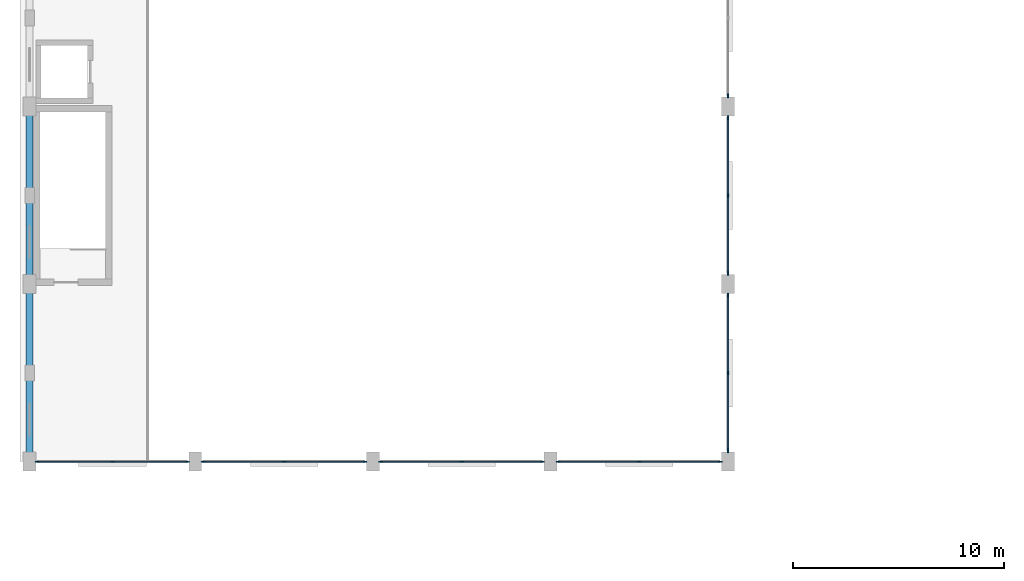
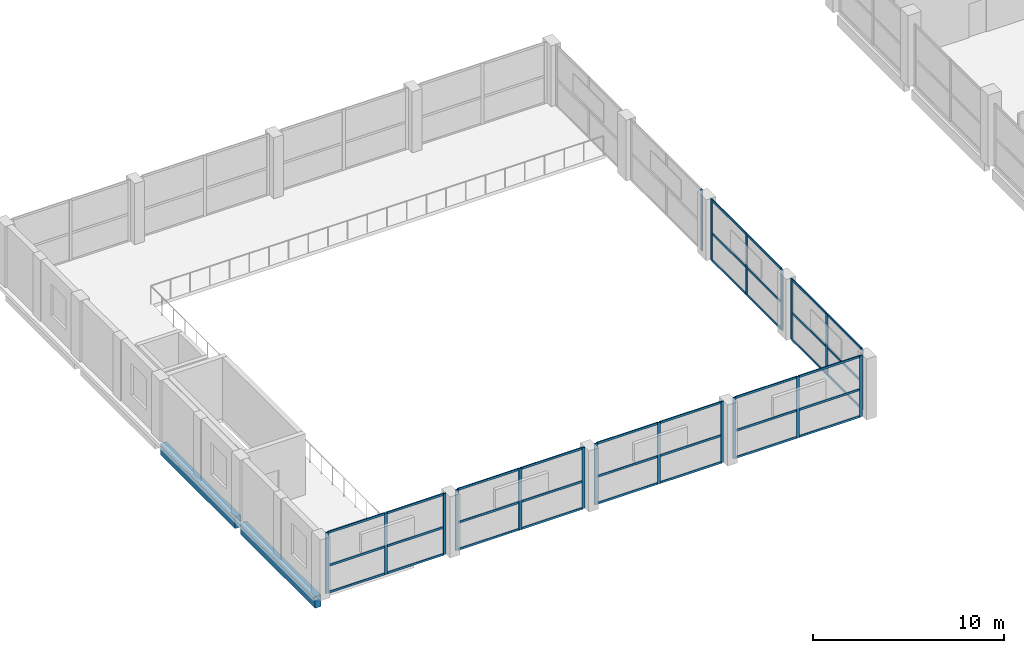
# One storey, part 4 of 31: 55 members, 2 beams, 7 elements without a shape of their own.
"""IFC4 building model written with IfcOpenShell, lengths in metres."""

from ifc_helpers import new_model, si_unit, direction, frame, origin, origin_2d, place, context, subcontext, project, spatial, rectangle, extrude, material, material_profile, profile_set, type_object, element, aggregate, save


model = new_model("IFC4")

# Units and contexts
model_context = context("Model", 3, precision=1e-05, world=origin(), true_north=direction((0.0, 1.0)))
body_context = subcontext(model_context, "Body", "Model", "MODEL_VIEW")
ifc_project = project(units=[si_unit("LENGTHUNIT", "METRE"), si_unit("AREAUNIT", "SQUARE_METRE"), si_unit("VOLUMEUNIT", "CUBIC_METRE"), si_unit("PLANEANGLEUNIT", "RADIAN"), si_unit("MASSUNIT", "GRAM", prefix="KILO")], contexts=[model_context])

# Site, building, storey
site_placement = place(None, origin())
site = spatial("IfcSite", under=ifc_project, at=site_placement, CompositionType="ELEMENT")
building_placement = place(site_placement, origin())
building = spatial("IfcBuilding", under=site, at=building_placement, Name="Brinegate Botanical Conservatory", CompositionType="ELEMENT")
storey_placement = place(building_placement, frame((0.0, 0.0, 5.39990234375)))
storey = spatial("IfcBuildingStorey", under=building, at=storey_placement, Name="L02", CompositionType="ELEMENT", Elevation=5.39990234375)

# Beams
ifc_material_1 = material(Name="Concrete C40/50", Category="concrete")
ifc_material_profile_1 = material_profile(ifc_material_1, rectangle(XDim=0.35009765625, YDim=0.75, at=origin_2d()), Name="RC SPN 350x750")
ifc_profile_set_1 = profile_set([ifc_material_profile_1], Name="Concrete C40/50")
beam_type = type_object("IfcBeamType", Name="Beam_SP-01", PredefinedType="SPANDREL", material=ifc_profile_set_1)
beam_1_placement = place(storey_placement, frame((0.550048828125, 78.699951171875, -0.594970703125), z_axis=(0.0, 1.0, 0.0), x_axis=(-1.0, 0.0, 0.0)))
element("IfcBeam", 1, at=beam_1_placement, inside=storey, type_object=beam_type, Name="Beam SP-01 L02 1:K-L", PredefinedType="SPANDREL", context=body_context, shape_type="SweptSolid", body=[
    extrude(rectangle(XDim=0.35009765625, YDim=0.75, at=origin_2d()), origin(), (0.0, 0.0, 1.0), 7.800048828125),
])
beam_2_placement = place(storey_placement, frame((0.550048828125, 87.10009765625, -0.594970703125), z_axis=(0.0, 1.0, 0.0), x_axis=(-1.0, 0.0, 0.0)))
element("IfcBeam", 2, at=beam_2_placement, inside=storey, type_object=beam_type, Name="Beam SP-01 L02 1:L-M", PredefinedType="SPANDREL", context=body_context, shape_type="SweptSolid", body=[
    extrude(rectangle(XDim=0.35009765625, YDim=0.75, at=origin_2d()), origin(), (0.0, 0.0, 1.0), 7.7998046875),
])

# Curtain wall, members
ifc_material_2 = material(Name="Thermally broken anodised aluminium AW-6063-T6", Category="aluminium")
curtain_wall_type = type_object("IfcCurtainWallType", Name="CW_CW-V1", PredefinedType="USERDEFINED", material=ifc_material_2)
curtain_wall_1_placement = place(storey_placement, origin())
curtain_wall_1 = element("IfcCurtainWall", 3, at=curtain_wall_1_placement, inside=storey, type_object=curtain_wall_type, Name="Conservatory south curtain wall L02.1", ObjectType="FACTORY CURTAIN WALL", PredefinedType="USERDEFINED")
ifc_material_profile_2 = material_profile(ifc_material_2, rectangle(XDim=0.06494140625, YDim=0.179931640625, at=origin_2d()), Name="ALUM MULLION 65x180")
ifc_profile_set_2 = profile_set([ifc_material_profile_2], Name="Thermally broken anodised aluminium AW-6063-T6")
member_type_1 = type_object("IfcMemberType", Name="Member_ML-02", PredefinedType="MULLION", material=ifc_profile_set_2)
member_1_placement = place(storey_placement, frame((8.027587890625, 78.39990234375, 0.0), z_axis=(0.0, 0.0, 1.0), x_axis=(0.0, -1.0, 0.0)))
member_1 = element("IfcMember", 4, at=member_1_placement, type_object=member_type_1, Name="CW-V1 mullion 1", PredefinedType="MULLION", context=body_context, shape_type="SweptSolid", body=[
    extrude(rectangle(XDim=0.06494140625, YDim=0.179931640625, at=origin_2d()), origin(), (0.0, 0.0, 1.0), 3.900146484375),
])
member_2_placement = place(storey_placement, frame((4.47509765625, 78.39990234375, 0.0), z_axis=(0.0, 0.0, 1.0), x_axis=(0.0, -1.0, 0.0)))
member_2 = element("IfcMember", 5, at=member_2_placement, type_object=member_type_1, Name="CW-V1 mullion 2", PredefinedType="MULLION", context=body_context, shape_type="SweptSolid", body=[
    extrude(rectangle(XDim=0.06494140625, YDim=0.179931640625, at=origin_2d()), origin(), (0.0, 0.0, 1.0), 3.900146484375),
])
member_3_placement = place(storey_placement, frame((0.922607421875, 78.39990234375, 0.0), z_axis=(0.0, 0.0, 1.0), x_axis=(0.0, -1.0, 0.0)))
member_3 = element("IfcMember", 6, at=member_3_placement, type_object=member_type_1, Name="CW-V1 mullion 3", PredefinedType="MULLION", context=body_context, shape_type="SweptSolid", body=[
    extrude(rectangle(XDim=0.06494140625, YDim=0.179931640625, at=origin_2d()), origin(), (0.0, 0.0, 1.0), 3.900146484375),
])

curtain_wall_2_placement = place(storey_placement, origin())
curtain_wall_2 = element("IfcCurtainWall", 7, at=curtain_wall_2_placement, inside=storey, type_object=curtain_wall_type, Name="Conservatory south curtain wall L02.2", ObjectType="FACTORY CURTAIN WALL", PredefinedType="USERDEFINED")
member_4_placement = place(storey_placement, frame((16.427490234375, 78.39990234375, 0.0), z_axis=(0.0, 0.0, 1.0), x_axis=(0.0, -1.0, 0.0)))
member_4 = element("IfcMember", 8, at=member_4_placement, type_object=member_type_1, Name="CW-V1 mullion 1", PredefinedType="MULLION", context=body_context, shape_type="SweptSolid", body=[
    extrude(rectangle(XDim=0.06494140625, YDim=0.179931640625, at=origin_2d()), origin(), (0.0, 0.0, 1.0), 3.900146484375),
])
member_5_placement = place(storey_placement, frame((12.60009765625, 78.39990234375, 0.0), z_axis=(0.0, 0.0, 1.0), x_axis=(0.0, -1.0, 0.0)))
member_5 = element("IfcMember", 9, at=member_5_placement, type_object=member_type_1, Name="CW-V1 mullion 2", PredefinedType="MULLION", context=body_context, shape_type="SweptSolid", body=[
    extrude(rectangle(XDim=0.06494140625, YDim=0.179931640625, at=origin_2d()), origin(), (0.0, 0.0, 1.0), 3.900146484375),
])
member_6_placement = place(storey_placement, frame((8.7724609375, 78.39990234375, 0.0), z_axis=(0.0, 0.0, 1.0), x_axis=(0.0, -1.0, 0.0)))
member_6 = element("IfcMember", 10, at=member_6_placement, type_object=member_type_1, Name="CW-V1 mullion 3", PredefinedType="MULLION", context=body_context, shape_type="SweptSolid", body=[
    extrude(rectangle(XDim=0.06494140625, YDim=0.179931640625, at=origin_2d()), origin(), (0.0, 0.0, 1.0), 3.900146484375),
])

curtain_wall_3_placement = place(storey_placement, origin())
curtain_wall_3 = element("IfcCurtainWall", 11, at=curtain_wall_3_placement, inside=storey, type_object=curtain_wall_type, Name="Conservatory south curtain wall L02.3", ObjectType="FACTORY CURTAIN WALL", PredefinedType="USERDEFINED")
member_7_placement = place(storey_placement, frame((24.827392578125, 78.39990234375, 0.0), z_axis=(0.0, 0.0, 1.0), x_axis=(0.0, -1.0, 0.0)))
member_7 = element("IfcMember", 12, at=member_7_placement, type_object=member_type_1, Name="CW-V1 mullion 1", PredefinedType="MULLION", context=body_context, shape_type="SweptSolid", body=[
    extrude(rectangle(XDim=0.06494140625, YDim=0.179931640625, at=origin_2d()), origin(), (0.0, 0.0, 1.0), 3.900146484375),
])
member_8_placement = place(storey_placement, frame((21.0, 78.39990234375, 0.0), z_axis=(0.0, 0.0, 1.0), x_axis=(0.0, -1.0, 0.0)))
member_8 = element("IfcMember", 13, at=member_8_placement, type_object=member_type_1, Name="CW-V1 mullion 2", PredefinedType="MULLION", context=body_context, shape_type="SweptSolid", body=[
    extrude(rectangle(XDim=0.06494140625, YDim=0.179931640625, at=origin_2d()), origin(), (0.0, 0.0, 1.0), 3.900146484375),
])
member_9_placement = place(storey_placement, frame((17.172607421875, 78.39990234375, 0.0), z_axis=(0.0, 0.0, 1.0), x_axis=(0.0, -1.0, 0.0)))
member_9 = element("IfcMember", 14, at=member_9_placement, type_object=member_type_1, Name="CW-V1 mullion 3", PredefinedType="MULLION", context=body_context, shape_type="SweptSolid", body=[
    extrude(rectangle(XDim=0.06494140625, YDim=0.179931640625, at=origin_2d()), origin(), (0.0, 0.0, 1.0), 3.900146484375),
])

curtain_wall_4_placement = place(storey_placement, origin())
curtain_wall_4 = element("IfcCurtainWall", 15, at=curtain_wall_4_placement, inside=storey, type_object=curtain_wall_type, Name="Conservatory south curtain wall L02.4", ObjectType="FACTORY CURTAIN WALL", PredefinedType="USERDEFINED")
member_10_placement = place(storey_placement, frame((33.2275390625, 78.39990234375, 0.0), z_axis=(0.0, 0.0, 1.0), x_axis=(0.0, -1.0, 0.0)))
member_10 = element("IfcMember", 16, at=member_10_placement, type_object=member_type_1, Name="CW-V1 mullion 1", PredefinedType="MULLION", context=body_context, shape_type="SweptSolid", body=[
    extrude(rectangle(XDim=0.06494140625, YDim=0.179931640625, at=origin_2d()), origin(), (0.0, 0.0, 1.0), 3.900146484375),
])
member_11_placement = place(storey_placement, frame((29.39990234375, 78.39990234375, 0.0), z_axis=(0.0, 0.0, 1.0), x_axis=(0.0, -1.0, 0.0)))
member_11 = element("IfcMember", 17, at=member_11_placement, type_object=member_type_1, Name="CW-V1 mullion 2", PredefinedType="MULLION", context=body_context, shape_type="SweptSolid", body=[
    extrude(rectangle(XDim=0.06494140625, YDim=0.179931640625, at=origin_2d()), origin(), (0.0, 0.0, 1.0), 3.900146484375),
])
member_12_placement = place(storey_placement, frame((25.572509765625, 78.39990234375, 0.0), z_axis=(0.0, 0.0, 1.0), x_axis=(0.0, -1.0, 0.0)))
member_12 = element("IfcMember", 18, at=member_12_placement, type_object=member_type_1, Name="CW-V1 mullion 3", PredefinedType="MULLION", context=body_context, shape_type="SweptSolid", body=[
    extrude(rectangle(XDim=0.06494140625, YDim=0.179931640625, at=origin_2d()), origin(), (0.0, 0.0, 1.0), 3.900146484375),
])

curtain_wall_5_placement = place(storey_placement, origin())
curtain_wall_5 = element("IfcCurtainWall", 19, at=curtain_wall_5_placement, inside=storey, type_object=curtain_wall_type, Name="Conservatory east curtain wall L02.1", ObjectType="FACTORY CURTAIN WALL", PredefinedType="USERDEFINED")
member_13_placement = place(storey_placement, frame((33.60009765625, 86.277587890625, 0.0), z_axis=(0.0, 0.0, 1.0), x_axis=(1.0, 0.0, 0.0)))
member_13 = element("IfcMember", 20, at=member_13_placement, type_object=member_type_1, Name="CW-V1 mullion 1", PredefinedType="MULLION", context=body_context, shape_type="SweptSolid", body=[
    extrude(rectangle(XDim=0.06494140625, YDim=0.179931640625, at=origin_2d()), origin(), (0.0, 0.0, 1.0), 3.900146484375),
])
member_14_placement = place(storey_placement, frame((33.60009765625, 82.60009765625, 0.0), z_axis=(0.0, 0.0, 1.0), x_axis=(1.0, 0.0, 0.0)))
member_14 = element("IfcMember", 21, at=member_14_placement, type_object=member_type_1, Name="CW-V1 mullion 2", PredefinedType="MULLION", context=body_context, shape_type="SweptSolid", body=[
    extrude(rectangle(XDim=0.06494140625, YDim=0.179931640625, at=origin_2d()), origin(), (0.0, 0.0, 1.0), 3.900146484375),
])
member_15_placement = place(storey_placement, frame((33.60009765625, 78.922607421875, 0.0), z_axis=(0.0, 0.0, 1.0), x_axis=(1.0, 0.0, 0.0)))
member_15 = element("IfcMember", 22, at=member_15_placement, type_object=member_type_1, Name="CW-V1 mullion 3", PredefinedType="MULLION", context=body_context, shape_type="SweptSolid", body=[
    extrude(rectangle(XDim=0.06494140625, YDim=0.179931640625, at=origin_2d()), origin(), (0.0, 0.0, 1.0), 3.900146484375),
])

curtain_wall_6_placement = place(storey_placement, origin())
curtain_wall_6 = element("IfcCurtainWall", 23, at=curtain_wall_6_placement, inside=storey, type_object=curtain_wall_type, Name="Conservatory east curtain wall L02.2", ObjectType="FACTORY CURTAIN WALL", PredefinedType="USERDEFINED")
member_16_placement = place(storey_placement, frame((33.60009765625, 94.677490234375, 0.0), z_axis=(0.0, 0.0, 1.0), x_axis=(1.0, 0.0, 0.0)))
member_16 = element("IfcMember", 24, at=member_16_placement, type_object=member_type_1, Name="CW-V1 mullion 1", PredefinedType="MULLION", context=body_context, shape_type="SweptSolid", body=[
    extrude(rectangle(XDim=0.06494140625, YDim=0.179931640625, at=origin_2d()), origin(), (0.0, 0.0, 1.0), 3.900146484375),
])
member_17_placement = place(storey_placement, frame((33.60009765625, 91.0, 0.0), z_axis=(0.0, 0.0, 1.0), x_axis=(1.0, 0.0, 0.0)))
member_17 = element("IfcMember", 25, at=member_17_placement, type_object=member_type_1, Name="CW-V1 mullion 2", PredefinedType="MULLION", context=body_context, shape_type="SweptSolid", body=[
    extrude(rectangle(XDim=0.06494140625, YDim=0.179931640625, at=origin_2d()), origin(), (0.0, 0.0, 1.0), 3.900146484375),
])
member_18_placement = place(storey_placement, frame((33.60009765625, 87.322509765625, 0.0), z_axis=(0.0, 0.0, 1.0), x_axis=(1.0, 0.0, 0.0)))
member_18 = element("IfcMember", 26, at=member_18_placement, type_object=member_type_1, Name="CW-V1 mullion 3", PredefinedType="MULLION", context=body_context, shape_type="SweptSolid", body=[
    extrude(rectangle(XDim=0.06494140625, YDim=0.179931640625, at=origin_2d()), origin(), (0.0, 0.0, 1.0), 3.900146484375),
])

# Curtain wall, member
curtain_wall_7_placement = place(storey_placement, origin())
curtain_wall_7 = element("IfcCurtainWall", 27, at=curtain_wall_7_placement, inside=storey, type_object=curtain_wall_type, Name="Conservatory east curtain wall L02.3", ObjectType="FACTORY CURTAIN WALL", PredefinedType="USERDEFINED")
member_19_placement = place(storey_placement, frame((33.60009765625, 95.722412109375, 0.0), z_axis=(0.0, 0.0, 1.0), x_axis=(1.0, 0.0, 0.0)))
member_19 = element("IfcMember", 28, at=member_19_placement, type_object=member_type_1, Name="CW-V1 mullion 3", PredefinedType="MULLION", context=body_context, shape_type="SweptSolid", body=[
    extrude(rectangle(XDim=0.06494140625, YDim=0.179931640625, at=origin_2d()), origin(), (0.0, 0.0, 1.0), 3.900146484375),
])
aggregate(curtain_wall_7, [member_19])

# Member
ifc_material_profile_3 = material_profile(ifc_material_2, rectangle(XDim=0.06494140625, YDim=0.135009765625, at=origin_2d()), Name="ALUM TRANSOM 65x135")
ifc_profile_set_3 = profile_set([ifc_material_profile_3], Name="Thermally broken anodised aluminium AW-6063-T6")
member_type_2 = type_object("IfcMemberType", Name="Member_TR-02", PredefinedType="USERDEFINED", material=ifc_profile_set_3)
member_20_placement = place(storey_placement, frame((7.9951171875, 78.39990234375, 0.03271484375), z_axis=(-1.0, 0.0, 0.0), x_axis=(0.0, -1.0, 0.0)))
member_20 = element("IfcMember", 29, at=member_20_placement, type_object=member_type_2, Name="CW-V1 transom 1.1", ObjectType="TRANSOM", PredefinedType="USERDEFINED", context=body_context, shape_type="SweptSolid", body=[
    extrude(rectangle(XDim=0.06494140625, YDim=0.135009765625, at=origin_2d()), origin(), (0.0, 0.0, 1.0), 3.487548828125),
])

member_21_placement = place(storey_placement, frame((7.9951171875, 78.39990234375, 1.755126953125), z_axis=(-1.0, 0.0, 0.0), x_axis=(0.0, -1.0, 0.0)))
member_21 = element("IfcMember", 30, at=member_21_placement, type_object=member_type_2, Name="CW-V1 transom 1.2", ObjectType="TRANSOM", PredefinedType="USERDEFINED", context=body_context, shape_type="SweptSolid", body=[
    extrude(rectangle(XDim=0.06494140625, YDim=0.135009765625, at=origin_2d()), origin(), (0.0, 0.0, 1.0), 3.487548828125),
])

member_22_placement = place(storey_placement, frame((7.9951171875, 78.39990234375, 3.86767578125), z_axis=(-1.0, 0.0, 0.0), x_axis=(0.0, -1.0, 0.0)))
member_22 = element("IfcMember", 31, at=member_22_placement, type_object=member_type_2, Name="CW-V1 transom 1.3", ObjectType="TRANSOM", PredefinedType="USERDEFINED", context=body_context, shape_type="SweptSolid", body=[
    extrude(rectangle(XDim=0.06494140625, YDim=0.135009765625, at=origin_2d()), origin(), (0.0, 0.0, 1.0), 3.487548828125),
])

member_23_placement = place(storey_placement, frame((4.4423828125, 78.39990234375, 0.03271484375), z_axis=(-1.0, 0.0, 0.0), x_axis=(0.0, -1.0, 0.0)))
member_23 = element("IfcMember", 32, at=member_23_placement, type_object=member_type_2, Name="CW-V1 transom 2.1", ObjectType="TRANSOM", PredefinedType="USERDEFINED", context=body_context, shape_type="SweptSolid", body=[
    extrude(rectangle(XDim=0.06494140625, YDim=0.135009765625, at=origin_2d()), origin(), (0.0, 0.0, 1.0), 3.4873046875),
])

member_24_placement = place(storey_placement, frame((4.4423828125, 78.39990234375, 1.755126953125), z_axis=(-1.0, 0.0, 0.0), x_axis=(0.0, -1.0, 0.0)))
member_24 = element("IfcMember", 33, at=member_24_placement, type_object=member_type_2, Name="CW-V1 transom 2.2", ObjectType="TRANSOM", PredefinedType="USERDEFINED", context=body_context, shape_type="SweptSolid", body=[
    extrude(rectangle(XDim=0.06494140625, YDim=0.135009765625, at=origin_2d()), origin(), (0.0, 0.0, 1.0), 3.4873046875),
])

member_25_placement = place(storey_placement, frame((4.4423828125, 78.39990234375, 3.86767578125), z_axis=(-1.0, 0.0, 0.0), x_axis=(0.0, -1.0, 0.0)))
member_25 = element("IfcMember", 34, at=member_25_placement, type_object=member_type_2, Name="CW-V1 transom 2.3", ObjectType="TRANSOM", PredefinedType="USERDEFINED", context=body_context, shape_type="SweptSolid", body=[
    extrude(rectangle(XDim=0.06494140625, YDim=0.135009765625, at=origin_2d()), origin(), (0.0, 0.0, 1.0), 3.4873046875),
])

aggregate(curtain_wall_1, [member_1, member_2, member_3, member_20, member_21, member_22, member_23, member_24, member_25])

member_26_placement = place(storey_placement, frame((16.39501953125, 78.39990234375, 0.03271484375), z_axis=(-1.0, 0.0, 0.0), x_axis=(0.0, -1.0, 0.0)))
member_26 = element("IfcMember", 35, at=member_26_placement, type_object=member_type_2, Name="CW-V1 transom 1.1", ObjectType="TRANSOM", PredefinedType="USERDEFINED", context=body_context, shape_type="SweptSolid", body=[
    extrude(rectangle(XDim=0.06494140625, YDim=0.135009765625, at=origin_2d()), origin(), (0.0, 0.0, 1.0), 3.762451171875),
])

member_27_placement = place(storey_placement, frame((16.39501953125, 78.39990234375, 1.755126953125), z_axis=(-1.0, 0.0, 0.0), x_axis=(0.0, -1.0, 0.0)))
member_27 = element("IfcMember", 36, at=member_27_placement, type_object=member_type_2, Name="CW-V1 transom 1.2", ObjectType="TRANSOM", PredefinedType="USERDEFINED", context=body_context, shape_type="SweptSolid", body=[
    extrude(rectangle(XDim=0.06494140625, YDim=0.135009765625, at=origin_2d()), origin(), (0.0, 0.0, 1.0), 3.762451171875),
])

member_28_placement = place(storey_placement, frame((16.39501953125, 78.39990234375, 3.86767578125), z_axis=(-1.0, 0.0, 0.0), x_axis=(0.0, -1.0, 0.0)))
member_28 = element("IfcMember", 37, at=member_28_placement, type_object=member_type_2, Name="CW-V1 transom 1.3", ObjectType="TRANSOM", PredefinedType="USERDEFINED", context=body_context, shape_type="SweptSolid", body=[
    extrude(rectangle(XDim=0.06494140625, YDim=0.135009765625, at=origin_2d()), origin(), (0.0, 0.0, 1.0), 3.762451171875),
])

member_29_placement = place(storey_placement, frame((12.5673828125, 78.39990234375, 0.03271484375), z_axis=(-1.0, 0.0, 0.0), x_axis=(0.0, -1.0, 0.0)))
member_29 = element("IfcMember", 38, at=member_29_placement, type_object=member_type_2, Name="CW-V1 transom 2.1", ObjectType="TRANSOM", PredefinedType="USERDEFINED", context=body_context, shape_type="SweptSolid", body=[
    extrude(rectangle(XDim=0.06494140625, YDim=0.135009765625, at=origin_2d()), origin(), (0.0, 0.0, 1.0), 3.762451171875),
])

member_30_placement = place(storey_placement, frame((12.5673828125, 78.39990234375, 1.755126953125), z_axis=(-1.0, 0.0, 0.0), x_axis=(0.0, -1.0, 0.0)))
member_30 = element("IfcMember", 39, at=member_30_placement, type_object=member_type_2, Name="CW-V1 transom 2.2", ObjectType="TRANSOM", PredefinedType="USERDEFINED", context=body_context, shape_type="SweptSolid", body=[
    extrude(rectangle(XDim=0.06494140625, YDim=0.135009765625, at=origin_2d()), origin(), (0.0, 0.0, 1.0), 3.762451171875),
])

member_31_placement = place(storey_placement, frame((12.5673828125, 78.39990234375, 3.86767578125), z_axis=(-1.0, 0.0, 0.0), x_axis=(0.0, -1.0, 0.0)))
member_31 = element("IfcMember", 40, at=member_31_placement, type_object=member_type_2, Name="CW-V1 transom 2.3", ObjectType="TRANSOM", PredefinedType="USERDEFINED", context=body_context, shape_type="SweptSolid", body=[
    extrude(rectangle(XDim=0.06494140625, YDim=0.135009765625, at=origin_2d()), origin(), (0.0, 0.0, 1.0), 3.762451171875),
])

aggregate(curtain_wall_2, [member_4, member_5, member_6, member_26, member_27, member_28, member_29, member_30, member_31])

member_32_placement = place(storey_placement, frame((24.794921875, 78.39990234375, 0.03271484375), z_axis=(-1.0, 0.0, 0.0), x_axis=(0.0, -1.0, 0.0)))
member_32 = element("IfcMember", 41, at=member_32_placement, type_object=member_type_2, Name="CW-V1 transom 1.1", ObjectType="TRANSOM", PredefinedType="USERDEFINED", context=body_context, shape_type="SweptSolid", body=[
    extrude(rectangle(XDim=0.06494140625, YDim=0.135009765625, at=origin_2d()), origin(), (0.0, 0.0, 1.0), 3.762451171875),
])

member_33_placement = place(storey_placement, frame((24.794921875, 78.39990234375, 1.755126953125), z_axis=(-1.0, 0.0, 0.0), x_axis=(0.0, -1.0, 0.0)))
member_33 = element("IfcMember", 42, at=member_33_placement, type_object=member_type_2, Name="CW-V1 transom 1.2", ObjectType="TRANSOM", PredefinedType="USERDEFINED", context=body_context, shape_type="SweptSolid", body=[
    extrude(rectangle(XDim=0.06494140625, YDim=0.135009765625, at=origin_2d()), origin(), (0.0, 0.0, 1.0), 3.762451171875),
])

member_34_placement = place(storey_placement, frame((24.794921875, 78.39990234375, 3.86767578125), z_axis=(-1.0, 0.0, 0.0), x_axis=(0.0, -1.0, 0.0)))
member_34 = element("IfcMember", 43, at=member_34_placement, type_object=member_type_2, Name="CW-V1 transom 1.3", ObjectType="TRANSOM", PredefinedType="USERDEFINED", context=body_context, shape_type="SweptSolid", body=[
    extrude(rectangle(XDim=0.06494140625, YDim=0.135009765625, at=origin_2d()), origin(), (0.0, 0.0, 1.0), 3.762451171875),
])

member_35_placement = place(storey_placement, frame((20.967529296875, 78.39990234375, 0.03271484375), z_axis=(-1.0, 0.0, 0.0), x_axis=(0.0, -1.0, 0.0)))
member_35 = element("IfcMember", 44, at=member_35_placement, type_object=member_type_2, Name="CW-V1 transom 2.1", ObjectType="TRANSOM", PredefinedType="USERDEFINED", context=body_context, shape_type="SweptSolid", body=[
    extrude(rectangle(XDim=0.06494140625, YDim=0.135009765625, at=origin_2d()), origin(), (0.0, 0.0, 1.0), 3.762451171875),
])

member_36_placement = place(storey_placement, frame((20.967529296875, 78.39990234375, 1.755126953125), z_axis=(-1.0, 0.0, 0.0), x_axis=(0.0, -1.0, 0.0)))
member_36 = element("IfcMember", 45, at=member_36_placement, type_object=member_type_2, Name="CW-V1 transom 2.2", ObjectType="TRANSOM", PredefinedType="USERDEFINED", context=body_context, shape_type="SweptSolid", body=[
    extrude(rectangle(XDim=0.06494140625, YDim=0.135009765625, at=origin_2d()), origin(), (0.0, 0.0, 1.0), 3.762451171875),
])

member_37_placement = place(storey_placement, frame((20.967529296875, 78.39990234375, 3.86767578125), z_axis=(-1.0, 0.0, 0.0), x_axis=(0.0, -1.0, 0.0)))
member_37 = element("IfcMember", 46, at=member_37_placement, type_object=member_type_2, Name="CW-V1 transom 2.3", ObjectType="TRANSOM", PredefinedType="USERDEFINED", context=body_context, shape_type="SweptSolid", body=[
    extrude(rectangle(XDim=0.06494140625, YDim=0.135009765625, at=origin_2d()), origin(), (0.0, 0.0, 1.0), 3.762451171875),
])

aggregate(curtain_wall_3, [member_7, member_8, member_9, member_32, member_33, member_34, member_35, member_36, member_37])

member_38_placement = place(storey_placement, frame((33.195068359375, 78.39990234375, 0.03271484375), z_axis=(-1.0, 0.0, 0.0), x_axis=(0.0, -1.0, 0.0)))
member_38 = element("IfcMember", 47, at=member_38_placement, type_object=member_type_2, Name="CW-V1 transom 1.1", ObjectType="TRANSOM", PredefinedType="USERDEFINED", context=body_context, shape_type="SweptSolid", body=[
    extrude(rectangle(XDim=0.06494140625, YDim=0.135009765625, at=origin_2d()), origin(), (0.0, 0.0, 1.0), 3.762451171875),
])

member_39_placement = place(storey_placement, frame((33.195068359375, 78.39990234375, 1.755126953125), z_axis=(-1.0, 0.0, 0.0), x_axis=(0.0, -1.0, 0.0)))
member_39 = element("IfcMember", 48, at=member_39_placement, type_object=member_type_2, Name="CW-V1 transom 1.2", ObjectType="TRANSOM", PredefinedType="USERDEFINED", context=body_context, shape_type="SweptSolid", body=[
    extrude(rectangle(XDim=0.06494140625, YDim=0.135009765625, at=origin_2d()), origin(), (0.0, 0.0, 1.0), 3.762451171875),
])

member_40_placement = place(storey_placement, frame((33.195068359375, 78.39990234375, 3.86767578125), z_axis=(-1.0, 0.0, 0.0), x_axis=(0.0, -1.0, 0.0)))
member_40 = element("IfcMember", 49, at=member_40_placement, type_object=member_type_2, Name="CW-V1 transom 1.3", ObjectType="TRANSOM", PredefinedType="USERDEFINED", context=body_context, shape_type="SweptSolid", body=[
    extrude(rectangle(XDim=0.06494140625, YDim=0.135009765625, at=origin_2d()), origin(), (0.0, 0.0, 1.0), 3.762451171875),
])

member_41_placement = place(storey_placement, frame((29.367431640625, 78.39990234375, 0.03271484375), z_axis=(-1.0, 0.0, 0.0), x_axis=(0.0, -1.0, 0.0)))
member_41 = element("IfcMember", 50, at=member_41_placement, type_object=member_type_2, Name="CW-V1 transom 2.1", ObjectType="TRANSOM", PredefinedType="USERDEFINED", context=body_context, shape_type="SweptSolid", body=[
    extrude(rectangle(XDim=0.06494140625, YDim=0.135009765625, at=origin_2d()), origin(), (0.0, 0.0, 1.0), 3.762451171875),
])

member_42_placement = place(storey_placement, frame((29.367431640625, 78.39990234375, 1.755126953125), z_axis=(-1.0, 0.0, 0.0), x_axis=(0.0, -1.0, 0.0)))
member_42 = element("IfcMember", 51, at=member_42_placement, type_object=member_type_2, Name="CW-V1 transom 2.2", ObjectType="TRANSOM", PredefinedType="USERDEFINED", context=body_context, shape_type="SweptSolid", body=[
    extrude(rectangle(XDim=0.06494140625, YDim=0.135009765625, at=origin_2d()), origin(), (0.0, 0.0, 1.0), 3.762451171875),
])

member_43_placement = place(storey_placement, frame((29.367431640625, 78.39990234375, 3.86767578125), z_axis=(-1.0, 0.0, 0.0), x_axis=(0.0, -1.0, 0.0)))
member_43 = element("IfcMember", 52, at=member_43_placement, type_object=member_type_2, Name="CW-V1 transom 2.3", ObjectType="TRANSOM", PredefinedType="USERDEFINED", context=body_context, shape_type="SweptSolid", body=[
    extrude(rectangle(XDim=0.06494140625, YDim=0.135009765625, at=origin_2d()), origin(), (0.0, 0.0, 1.0), 3.762451171875),
])

aggregate(curtain_wall_4, [member_10, member_11, member_12, member_38, member_39, member_40, member_41, member_42, member_43])

member_44_placement = place(storey_placement, frame((33.60009765625, 86.2451171875, 0.03271484375), z_axis=(0.0, -1.0, 0.0), x_axis=(1.0, 0.0, 0.0)))
member_44 = element("IfcMember", 53, at=member_44_placement, type_object=member_type_2, Name="CW-V1 transom 1.1", ObjectType="TRANSOM", PredefinedType="USERDEFINED", context=body_context, shape_type="SweptSolid", body=[
    extrude(rectangle(XDim=0.06494140625, YDim=0.135009765625, at=origin_2d()), origin(), (0.0, 0.0, 1.0), 3.612548828125),
])

member_45_placement = place(storey_placement, frame((33.60009765625, 86.2451171875, 1.755126953125), z_axis=(0.0, -1.0, 0.0), x_axis=(1.0, 0.0, 0.0)))
member_45 = element("IfcMember", 54, at=member_45_placement, type_object=member_type_2, Name="CW-V1 transom 1.2", ObjectType="TRANSOM", PredefinedType="USERDEFINED", context=body_context, shape_type="SweptSolid", body=[
    extrude(rectangle(XDim=0.06494140625, YDim=0.135009765625, at=origin_2d()), origin(), (0.0, 0.0, 1.0), 3.612548828125),
])

member_46_placement = place(storey_placement, frame((33.60009765625, 86.2451171875, 3.86767578125), z_axis=(0.0, -1.0, 0.0), x_axis=(1.0, 0.0, 0.0)))
member_46 = element("IfcMember", 55, at=member_46_placement, type_object=member_type_2, Name="CW-V1 transom 1.3", ObjectType="TRANSOM", PredefinedType="USERDEFINED", context=body_context, shape_type="SweptSolid", body=[
    extrude(rectangle(XDim=0.06494140625, YDim=0.135009765625, at=origin_2d()), origin(), (0.0, 0.0, 1.0), 3.612548828125),
])

member_47_placement = place(storey_placement, frame((33.60009765625, 82.5673828125, 0.03271484375), z_axis=(0.0, -1.0, 0.0), x_axis=(1.0, 0.0, 0.0)))
member_47 = element("IfcMember", 56, at=member_47_placement, type_object=member_type_2, Name="CW-V1 transom 2.1", ObjectType="TRANSOM", PredefinedType="USERDEFINED", context=body_context, shape_type="SweptSolid", body=[
    extrude(rectangle(XDim=0.06494140625, YDim=0.135009765625, at=origin_2d()), origin(), (0.0, 0.0, 1.0), 3.6123046875),
])

member_48_placement = place(storey_placement, frame((33.60009765625, 82.5673828125, 1.755126953125), z_axis=(0.0, -1.0, 0.0), x_axis=(1.0, 0.0, 0.0)))
member_48 = element("IfcMember", 57, at=member_48_placement, type_object=member_type_2, Name="CW-V1 transom 2.2", ObjectType="TRANSOM", PredefinedType="USERDEFINED", context=body_context, shape_type="SweptSolid", body=[
    extrude(rectangle(XDim=0.06494140625, YDim=0.135009765625, at=origin_2d()), origin(), (0.0, 0.0, 1.0), 3.6123046875),
])

member_49_placement = place(storey_placement, frame((33.60009765625, 82.5673828125, 3.86767578125), z_axis=(0.0, -1.0, 0.0), x_axis=(1.0, 0.0, 0.0)))
member_49 = element("IfcMember", 58, at=member_49_placement, type_object=member_type_2, Name="CW-V1 transom 2.3", ObjectType="TRANSOM", PredefinedType="USERDEFINED", context=body_context, shape_type="SweptSolid", body=[
    extrude(rectangle(XDim=0.06494140625, YDim=0.135009765625, at=origin_2d()), origin(), (0.0, 0.0, 1.0), 3.6123046875),
])

aggregate(curtain_wall_5, [member_13, member_14, member_15, member_44, member_45, member_46, member_47, member_48, member_49])

member_50_placement = place(storey_placement, frame((33.60009765625, 94.64501953125, 0.03271484375), z_axis=(0.0, -1.0, 0.0), x_axis=(1.0, 0.0, 0.0)))
member_50 = element("IfcMember", 59, at=member_50_placement, type_object=member_type_2, Name="CW-V1 transom 1.1", ObjectType="TRANSOM", PredefinedType="USERDEFINED", context=body_context, shape_type="SweptSolid", body=[
    extrude(rectangle(XDim=0.06494140625, YDim=0.135009765625, at=origin_2d()), origin(), (0.0, 0.0, 1.0), 3.612548828125),
])

member_51_placement = place(storey_placement, frame((33.60009765625, 94.64501953125, 1.755126953125), z_axis=(0.0, -1.0, 0.0), x_axis=(1.0, 0.0, 0.0)))
member_51 = element("IfcMember", 60, at=member_51_placement, type_object=member_type_2, Name="CW-V1 transom 1.2", ObjectType="TRANSOM", PredefinedType="USERDEFINED", context=body_context, shape_type="SweptSolid", body=[
    extrude(rectangle(XDim=0.06494140625, YDim=0.135009765625, at=origin_2d()), origin(), (0.0, 0.0, 1.0), 3.612548828125),
])

member_52_placement = place(storey_placement, frame((33.60009765625, 94.64501953125, 3.86767578125), z_axis=(0.0, -1.0, 0.0), x_axis=(1.0, 0.0, 0.0)))
member_52 = element("IfcMember", 61, at=member_52_placement, type_object=member_type_2, Name="CW-V1 transom 1.3", ObjectType="TRANSOM", PredefinedType="USERDEFINED", context=body_context, shape_type="SweptSolid", body=[
    extrude(rectangle(XDim=0.06494140625, YDim=0.135009765625, at=origin_2d()), origin(), (0.0, 0.0, 1.0), 3.612548828125),
])

member_53_placement = place(storey_placement, frame((33.60009765625, 90.967529296875, 0.03271484375), z_axis=(0.0, -1.0, 0.0), x_axis=(1.0, 0.0, 0.0)))
member_53 = element("IfcMember", 62, at=member_53_placement, type_object=member_type_2, Name="CW-V1 transom 2.1", ObjectType="TRANSOM", PredefinedType="USERDEFINED", context=body_context, shape_type="SweptSolid", body=[
    extrude(rectangle(XDim=0.06494140625, YDim=0.135009765625, at=origin_2d()), origin(), (0.0, 0.0, 1.0), 3.612548828125),
])

member_54_placement = place(storey_placement, frame((33.60009765625, 90.967529296875, 1.755126953125), z_axis=(0.0, -1.0, 0.0), x_axis=(1.0, 0.0, 0.0)))
member_54 = element("IfcMember", 63, at=member_54_placement, type_object=member_type_2, Name="CW-V1 transom 2.2", ObjectType="TRANSOM", PredefinedType="USERDEFINED", context=body_context, shape_type="SweptSolid", body=[
    extrude(rectangle(XDim=0.06494140625, YDim=0.135009765625, at=origin_2d()), origin(), (0.0, 0.0, 1.0), 3.612548828125),
])

member_55_placement = place(storey_placement, frame((33.60009765625, 90.967529296875, 3.86767578125), z_axis=(0.0, -1.0, 0.0), x_axis=(1.0, 0.0, 0.0)))
member_55 = element("IfcMember", 64, at=member_55_placement, type_object=member_type_2, Name="CW-V1 transom 2.3", ObjectType="TRANSOM", PredefinedType="USERDEFINED", context=body_context, shape_type="SweptSolid", body=[
    extrude(rectangle(XDim=0.06494140625, YDim=0.135009765625, at=origin_2d()), origin(), (0.0, 0.0, 1.0), 3.612548828125),
])

aggregate(curtain_wall_6, [member_16, member_17, member_18, member_50, member_51, member_52, member_53, member_54, member_55])

save(model, "model.ifc")
